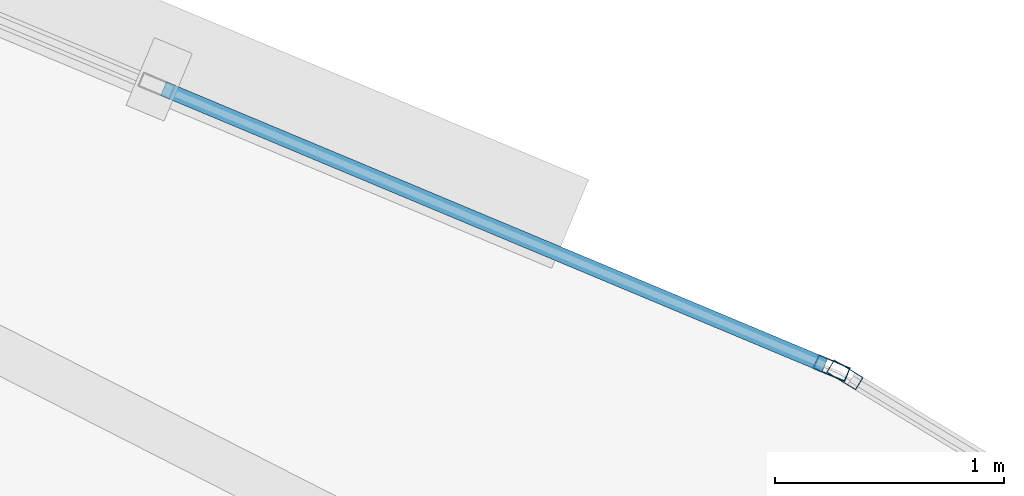
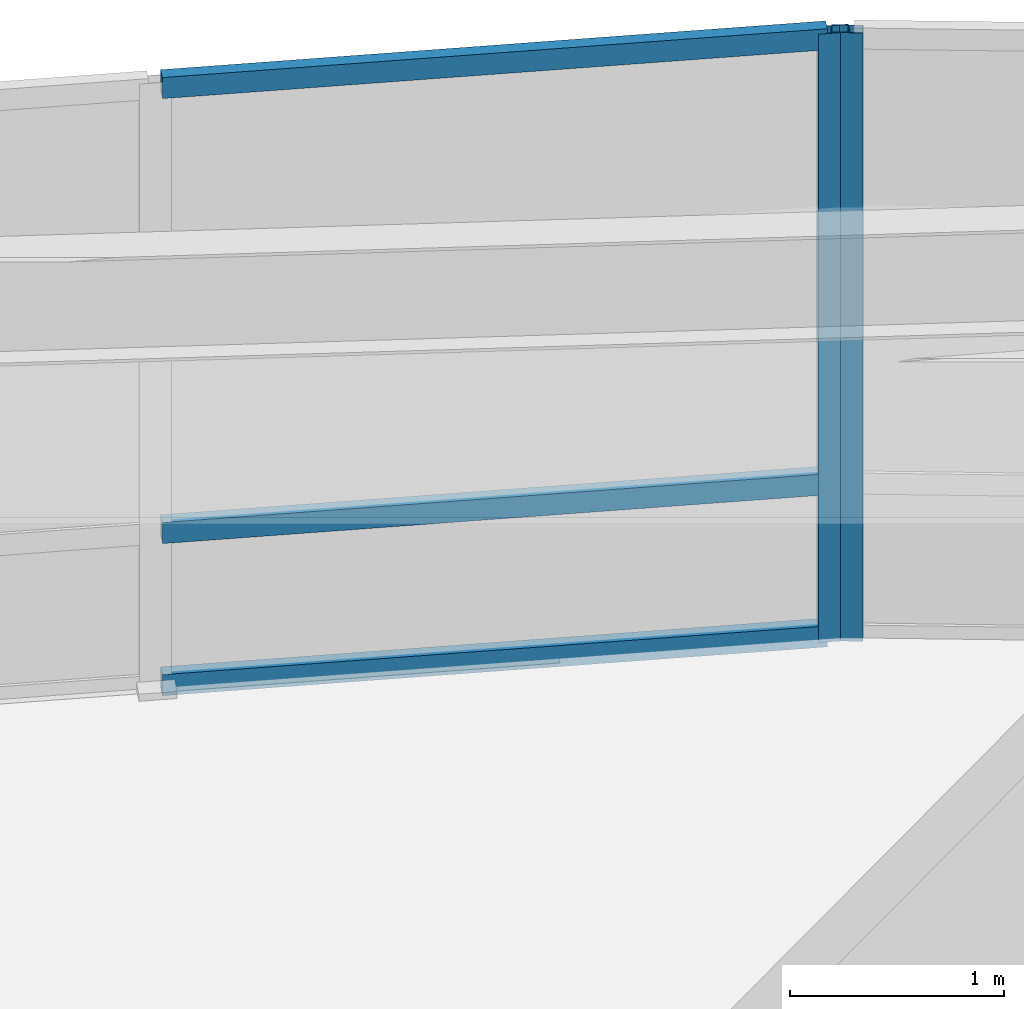
# One storey, part 13 of 18: 5 members, 2 elements without a shape of their own.
"""IFC4 building model written with IfcOpenShell, lengths in metres."""

from ifc_helpers import new_model, si_unit, direction, frame, origin, origin_2d, place, context, subcontext, project, spatial, hollow_rectangle, extrude, material, layer, layer_set, material_profile, profile_set, type_object, element, aggregate, save


model = new_model("IFC4")

# Units and contexts
model_context = context("Model", 3, precision=1e-05, world=origin(), true_north=direction((0.0, 1.0)))
body_context = subcontext(model_context, "Body", "Model", "MODEL_VIEW")
ifc_project = project(units=[si_unit("LENGTHUNIT", "METRE"), si_unit("AREAUNIT", "SQUARE_METRE"), si_unit("VOLUMEUNIT", "CUBIC_METRE"), si_unit("PLANEANGLEUNIT", "RADIAN"), si_unit("MASSUNIT", "GRAM", prefix="KILO")], contexts=[model_context])

# Site, building, storey
site_placement = place(None, origin())
site = spatial("IfcSite", under=ifc_project, at=site_placement, CompositionType="ELEMENT")
building_placement = place(site_placement, origin())
building = spatial("IfcBuilding", under=site, at=building_placement, Name="Menara Vayukalpa", CompositionType="ELEMENT")
storey_placement = place(building_placement, frame((0.0, 0.0, 96.5400390625)))
storey = spatial("IfcBuildingStorey", under=building, at=storey_placement, Name="L23", CompositionType="ELEMENT", Elevation=96.5400390625)

# Curtain wall, member
ifc_material_1 = material(Name="Anodised Terracotta Aluminium Alloy 6063-T6", Category="masonry")
ifc_layer = layer(ifc_material_1, 0.14990234375)
ifc_layer_set = layer_set([ifc_layer], Name="Anodised Terracotta Aluminium Alloy 6063-T6")
curtain_wall_type = type_object("IfcCurtainWallType", Name="CW-CW3", PredefinedType="USERDEFINED", material=ifc_layer_set)
curtain_wall_1_placement = place(storey_placement, origin())
curtain_wall_1 = element("IfcCurtainWall", 1, at=curtain_wall_1_placement, inside=storey, type_object=curtain_wall_type, Name="L23 Mid Rise Terracotta Ribbon Curtain Wall CW3 04", ObjectType="UNITISED", PredefinedType="USERDEFINED")
ifc_material_2 = material(Name="Anodised Terracotta Aluminium Alloy 6063-T6", Category="masonry")
ifc_material_profile_1 = material_profile(ifc_material_2, hollow_rectangle(XDim=0.06494140625, YDim=0.14990234375, WallThickness=0.00341796875, at=origin_2d()), Name="ALU 65x150x3.5")
ifc_profile_set_1 = profile_set([ifc_material_profile_1], Name="Anodised Terracotta Aluminium Alloy 6063-T6")
member_type_1 = type_object("IfcMemberType", Name="CWM-CW3", PredefinedType="MULLION", material=ifc_profile_set_1)
member_1_placement = place(storey_placement, frame((29.8935546875, 31.938232421875, 0.0), z_axis=(0.0, 0.0, 1.0), x_axis=(-0.519182959112, -0.854663123674, 0.0)))
member_1 = element("IfcMember", 2, at=member_1_placement, type_object=member_type_1, Name="CW3 mullion 3", PredefinedType="MULLION", context=body_context, shape_type="SweptSolid", body=[
    extrude(hollow_rectangle(XDim=0.06494140625, YDim=0.14990234375, WallThickness=0.00341796875, at=origin_2d()), origin(), (0.0, 0.0, 1.0), 3.469970703125),
])
aggregate(curtain_wall_1, [member_1])

# Curtain wall, members
curtain_wall_2_placement = place(storey_placement, origin())
curtain_wall_2 = element("IfcCurtainWall", 3, at=curtain_wall_2_placement, inside=storey, type_object=curtain_wall_type, Name="L23 Mid Rise Terracotta Ribbon Curtain Wall CW3 05", ObjectType="UNITISED", PredefinedType="USERDEFINED")
member_2_placement = place(storey_placement, frame((29.8359375, 31.9677734375, 0.0), z_axis=(0.0, 0.0, 1.0), x_axis=(-0.38589358437, -0.922543300632, 0.0)))
member_2 = element("IfcMember", 4, at=member_2_placement, type_object=member_type_1, Name="CW3 mullion 1", PredefinedType="MULLION", context=body_context, shape_type="SweptSolid", body=[
    extrude(hollow_rectangle(XDim=0.06494140625, YDim=0.14990234375, WallThickness=0.00341796875, at=origin_2d()), origin(), (0.0, 0.0, 1.0), 3.469970703125),
])
ifc_material_3 = material(Name="Anodised Terracotta Aluminium Alloy 6063-T6", Category="masonry")
ifc_material_profile_2 = material_profile(ifc_material_3, hollow_rectangle(XDim=0.06494140625, YDim=0.1201171875, WallThickness=0.00341796875, at=origin_2d()), Name="ALU 65x120x3.5")
ifc_profile_set_2 = profile_set([ifc_material_profile_2], Name="Anodised Terracotta Aluminium Alloy 6063-T6")
member_type_2 = type_object("IfcMemberType", Name="CWT-CW3", PredefinedType="USERDEFINED", material=ifc_profile_set_2)
member_3_placement = place(storey_placement, frame((29.805908203125, 31.980224609375, 0.032470703125), z_axis=(-0.922517812792, 0.385954511673, 0.0), x_axis=(-0.385954511673, -0.922517812792, 0.0)))
member_3 = element("IfcMember", 5, at=member_3_placement, type_object=member_type_2, Name="CW3 transom 1.1", ObjectType="TRANSOM", PredefinedType="USERDEFINED", context=body_context, shape_type="SweptSolid", body=[
    extrude(hollow_rectangle(XDim=0.06494140625, YDim=0.1201171875, WallThickness=0.00341796875, at=origin_2d()), origin(), (0.0, 0.0, 1.0), 3.1318359375),
])
member_4_placement = place(storey_placement, frame((29.805908203125, 31.980224609375, 0.89990234375), z_axis=(-0.922517812792, 0.385954511673, 0.0), x_axis=(-0.385954511673, -0.922517812792, 0.0)))
member_4 = element("IfcMember", 6, at=member_4_placement, type_object=member_type_2, Name="CW3 transom 1.2", ObjectType="TRANSOM", PredefinedType="USERDEFINED", context=body_context, shape_type="SweptSolid", body=[
    extrude(hollow_rectangle(XDim=0.06494140625, YDim=0.1201171875, WallThickness=0.00341796875, at=origin_2d()), origin(), (0.0, 0.0, 1.0), 3.1318359375),
])
member_5_placement = place(storey_placement, frame((29.805908203125, 31.980224609375, 3.4375), z_axis=(-0.922517812792, 0.385954511673, 0.0), x_axis=(-0.385954511673, -0.922517812792, 0.0)))
member_5 = element("IfcMember", 7, at=member_5_placement, type_object=member_type_2, Name="CW3 transom 1.3", ObjectType="TRANSOM", PredefinedType="USERDEFINED", context=body_context, shape_type="SweptSolid", body=[
    extrude(hollow_rectangle(XDim=0.06494140625, YDim=0.1201171875, WallThickness=0.00341796875, at=origin_2d()), origin(), (0.0, 0.0, 1.0), 3.1318359375),
])
aggregate(curtain_wall_2, [member_2, member_3, member_4, member_5])

save(model, "model.ifc")
